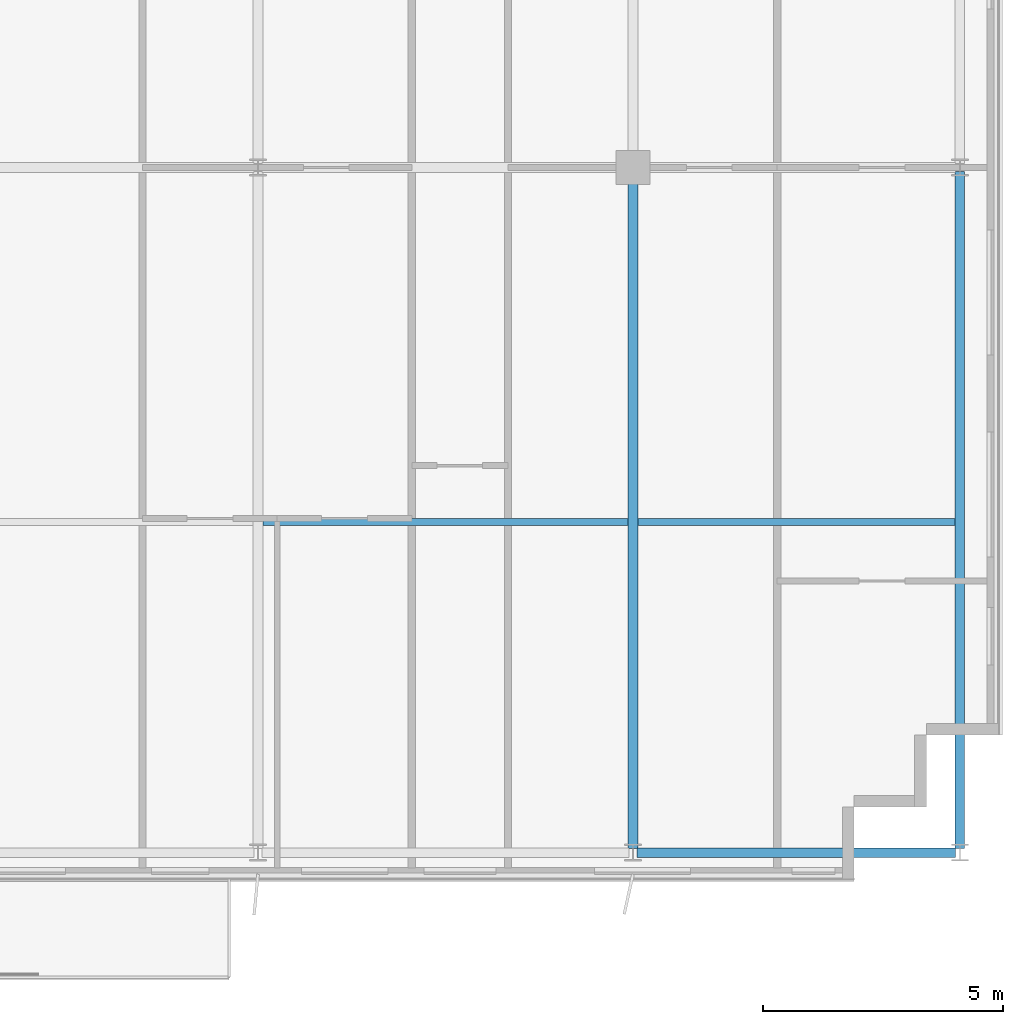
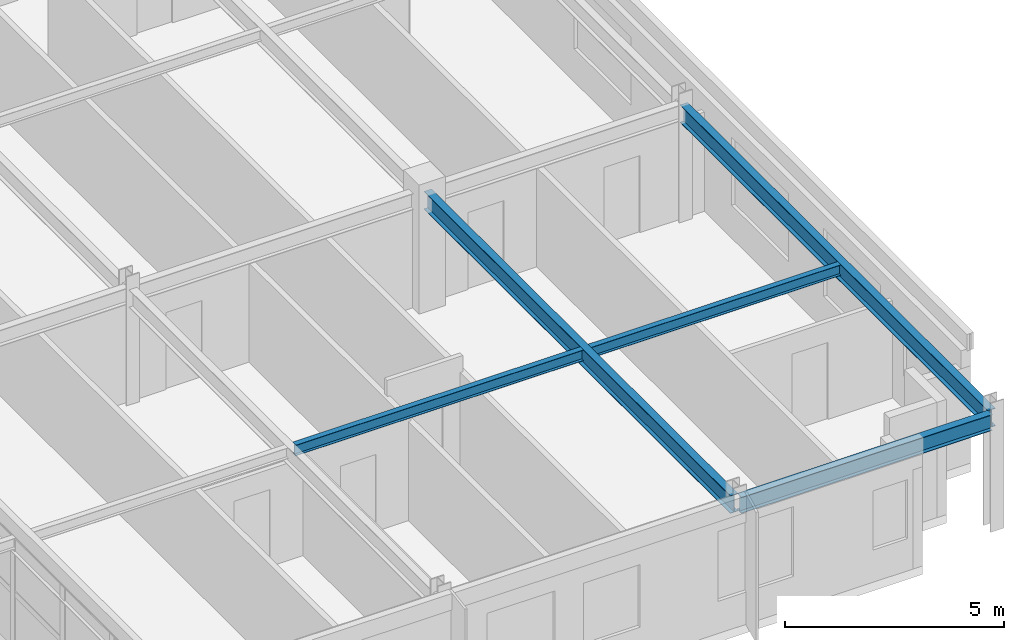
# One storey, part 15 of 37: 5 beams.
"""IFC4 building model written with IfcOpenShell, lengths in metres."""

from ifc_helpers import new_model, si_unit, direction, frame, origin, origin_2d, place, context, subcontext, project, spatial, i_section, extrude, source, transform, mapped, material, material_profile, profile_set, type_object, element, save


model = new_model("IFC4")

# Units and contexts
model_context = context("Model", 3, precision=1e-05, world=origin(), true_north=direction((0.0, 1.0)))
body_context = subcontext(model_context, "Body", "Model", "MODEL_VIEW")
ifc_project = project(units=[si_unit("LENGTHUNIT", "METRE"), si_unit("AREAUNIT", "SQUARE_METRE"), si_unit("VOLUMEUNIT", "CUBIC_METRE"), si_unit("PLANEANGLEUNIT", "RADIAN"), si_unit("MASSUNIT", "GRAM", prefix="KILO")], contexts=[model_context])

# Site, building, storey
site_placement = place(None, origin())
site = spatial("IfcSite", under=ifc_project, at=site_placement, CompositionType="ELEMENT")
building_placement = place(site_placement, origin())
building = spatial("IfcBuilding", under=site, at=building_placement, Name="Trelvane Seafront Commons", CompositionType="ELEMENT")
storey_placement = place(building_placement, frame((0.0, 0.0, 201.300048828125)))
storey = spatial("IfcBuildingStorey", under=building, at=storey_placement, Name="L52", CompositionType="ELEMENT", Elevation=201.300048828125)

# Beams
ifc_material = material(Name="Steel SM355 (S355)", Category="steel")
ifc_material_profile_1 = material_profile(ifc_material, i_section(OverallWidth=0.199951171875, OverallDepth=0.449951171875, WebThickness=0.009033203125, FlangeThickness=0.013916015625, at=origin_2d()), Name="H-450x200x9x14")
ifc_profile_set_1 = profile_set([ifc_material_profile_1], Name="Steel SM355 (S355)")
beam_type_1 = type_object("IfcBeamType", Name="STR-SPD-H450", PredefinedType="SPANDREL", material=ifc_profile_set_1)
shared_shape_1 = source(origin(), body_context, "Body", "SweptSolid", [
    extrude(i_section(OverallWidth=0.199951171875, OverallDepth=0.449951171875, WebThickness=0.009033203125, FlangeThickness=0.013916015625, at=origin_2d()), origin(), (0.0, 0.0, 1.0), 6.625),
])
beam_1_placement = place(storey_placement, frame((58.887451171875, 3.949951171875, 2.994873046875), z_axis=(1.0, 0.0, 0.0), x_axis=(0.0, 1.0, 0.0)))
element("IfcBeam", 1, at=beam_1_placement, inside=storey, type_object=beam_type_1, Name="L52 Primary Girder G-07", PredefinedType="SPANDREL", context=body_context, shape_type="MappedRepresentation", body=[
    mapped(shared_shape_1, transform((0.0, 0.0, 0.0), x_axis=(1.0, 0.0, 0.0), y_axis=(0.0, 1.0, 0.0), z_axis=(0.0, 0.0, 1.0), scale=1.0)),
])
ifc_material_profile_2 = material_profile(ifc_material, i_section(OverallWidth=0.199951171875, OverallDepth=0.5, WebThickness=0.010009765625, FlangeThickness=0.01611328125, at=origin_2d()), Name="H-500x200x10x16")
ifc_profile_set_2 = profile_set([ifc_material_profile_2], Name="Steel SM355 (S355)")
beam_type_2 = type_object("IfcBeamType", Name="STR-BM-H500", PredefinedType="BEAM", material=ifc_profile_set_2)
shared_shape_2 = source(origin(), body_context, "Body", "SweptSolid", [
    extrude(i_section(OverallWidth=0.199951171875, OverallDepth=0.5, WebThickness=0.010009765625, FlangeThickness=0.01611328125, at=origin_2d()), origin(), (0.0, 0.0, 1.0), 14.074951171875),
])
beam_2_placement = place(storey_placement, frame((65.60009765625, 4.03759765625, 2.969970703125), z_axis=(0.0, 1.0, 0.0), x_axis=(-1.0, 0.0, 0.0)))
element("IfcBeam", 2, at=beam_2_placement, inside=storey, type_object=beam_type_2, Name="L52 Primary Girder G-50", PredefinedType="BEAM", context=body_context, shape_type="MappedRepresentation", body=[
    mapped(shared_shape_2, transform((0.0, 0.0, 0.0), x_axis=(1.0, 0.0, 0.0), y_axis=(0.0, 1.0, 0.0), z_axis=(0.0, 0.0, 1.0), scale=1.0)),
])
shared_shape_3 = source(origin(), body_context, "Body", "SweptSolid", [
    extrude(i_section(OverallWidth=0.199951171875, OverallDepth=0.5, WebThickness=0.010009765625, FlangeThickness=0.01611328125, at=origin_2d()), origin(), (0.0, 0.0, 1.0), 14.012451171875),
])
beam_3_placement = place(storey_placement, frame((58.800048828125, 4.03759765625, 2.969970703125), z_axis=(0.0, 1.0, 0.0), x_axis=(-1.0, 0.0, 0.0)))
element("IfcBeam", 3, at=beam_3_placement, inside=storey, type_object=beam_type_2, Name="L52 Primary Girder G-47", PredefinedType="BEAM", context=body_context, shape_type="MappedRepresentation", body=[
    mapped(shared_shape_3, transform((0.0, 0.0, 0.0), x_axis=(1.0, 0.0, 0.0), y_axis=(0.0, 1.0, 0.0), z_axis=(0.0, 0.0, 1.0), scale=1.0)),
])
ifc_material_profile_3 = material_profile(ifc_material, i_section(OverallWidth=0.14990234375, OverallDepth=0.300048828125, WebThickness=0.006591796875, FlangeThickness=0.009033203125, at=origin_2d()), Name="H-300x150x6.5x9")
ifc_profile_set_3 = profile_set([ifc_material_profile_3], Name="Steel SM355 (S355)")
beam_type_3 = type_object("IfcBeamType", Name="STR-JST-H300", PredefinedType="JOIST", material=ifc_profile_set_3)
shared_shape_4 = source(origin(), body_context, "Body", "SweptSolid", [
    extrude(i_section(OverallWidth=0.14990234375, OverallDepth=0.300048828125, WebThickness=0.006591796875, FlangeThickness=0.009033203125, at=origin_2d()), origin(), (0.0, 0.0, 1.0), 6.60009765625),
])
beam_4_placement = place(storey_placement, frame((58.89990234375, 10.824951171875, 3.070068359375), z_axis=(1.0, 0.0, 0.0), x_axis=(0.0, 1.0, 0.0)))
element("IfcBeam", 4, at=beam_4_placement, inside=storey, type_object=beam_type_3, Name="L52 Secondary Floor Joist B-59", PredefinedType="JOIST", context=body_context, shape_type="MappedRepresentation", body=[
    mapped(shared_shape_4, transform((0.0, 0.0, 0.0), x_axis=(1.0, 0.0, 0.0), y_axis=(0.0, 1.0, 0.0), z_axis=(0.0, 0.0, 1.0), scale=1.0)),
])
shared_shape_5 = source(origin(), body_context, "Body", "SweptSolid", [
    extrude(i_section(OverallWidth=0.14990234375, OverallDepth=0.300048828125, WebThickness=0.006591796875, FlangeThickness=0.009033203125, at=origin_2d()), origin(), (0.0, 0.0, 1.0), 7.599853515625),
])
beam_5_placement = place(storey_placement, frame((51.10009765625, 10.824951171875, 3.070068359375), z_axis=(1.0, 0.0, 0.0), x_axis=(0.0, 1.0, 0.0)))
element("IfcBeam", 5, at=beam_5_placement, inside=storey, type_object=beam_type_3, Name="L52 Secondary Floor Joist B-58", PredefinedType="JOIST", context=body_context, shape_type="MappedRepresentation", body=[
    mapped(shared_shape_5, transform((0.0, 0.0, 0.0), x_axis=(1.0, 0.0, 0.0), y_axis=(0.0, 1.0, 0.0), z_axis=(0.0, 0.0, 1.0), scale=1.0)),
])

save(model, "model.ifc")
